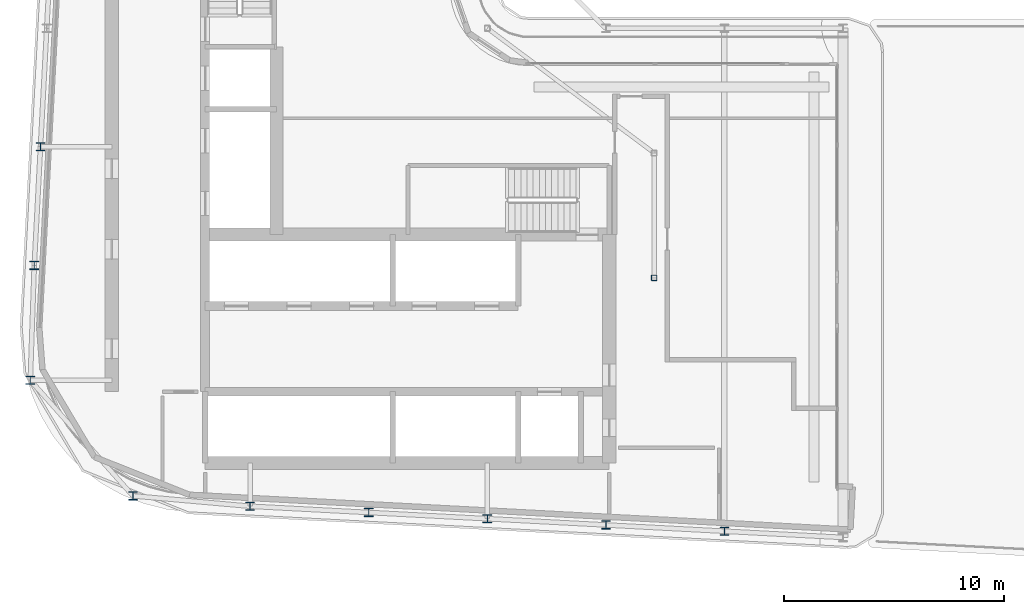
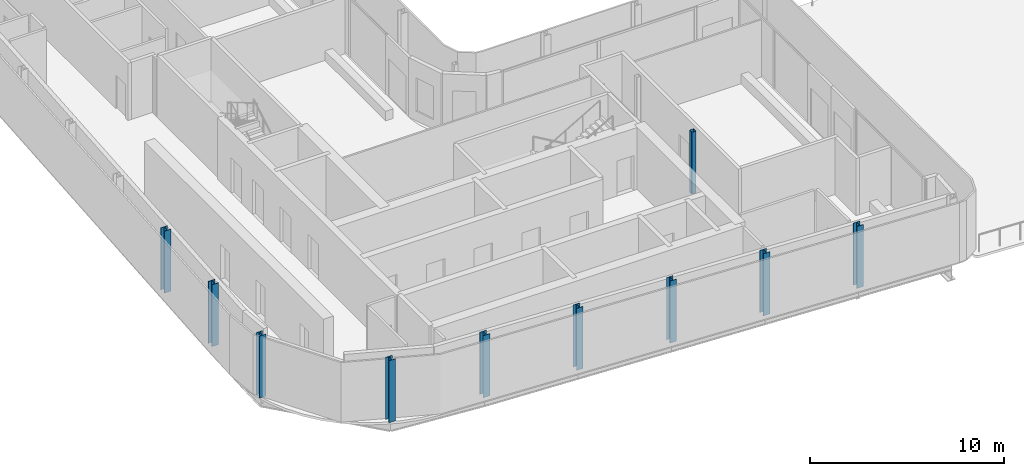
# One storey, part 1 of 22: 10 columns.
"""IFC4 building model written with IfcOpenShell, lengths in metres."""

from ifc_helpers import new_model, si_unit, direction, frame, origin, origin_2d, place, context, subcontext, project, spatial, hollow_rectangle, i_section, extrude, material, material_profile, profile_set, type_object, element, save


model = new_model("IFC4")

# Units and contexts
model_context = context("Model", 3, precision=1e-05, world=origin(), true_north=direction((0.0, 1.0)))
body_context = subcontext(model_context, "Body", "Model", "MODEL_VIEW")
ifc_project = project(units=[si_unit("LENGTHUNIT", "METRE"), si_unit("AREAUNIT", "SQUARE_METRE"), si_unit("VOLUMEUNIT", "CUBIC_METRE"), si_unit("PLANEANGLEUNIT", "RADIAN"), si_unit("MASSUNIT", "GRAM", prefix="KILO")], contexts=[model_context])

# Site, building, storey
site_placement = place(None, origin())
site = spatial("IfcSite", under=ifc_project, at=site_placement, CompositionType="ELEMENT")
building_placement = place(site_placement, origin())
building = spatial("IfcBuilding", under=site, at=building_placement, Name="Kheshtan School and Residences Tower", CompositionType="ELEMENT")
storey_placement = place(building_placement, frame((0.0, 0.0, 274.699951171875)))
storey = spatial("IfcBuildingStorey", under=building, at=storey_placement, Name="L64", CompositionType="ELEMENT", Elevation=274.699951171875)

# Columns
ifc_material_1 = material(Name="Steel ASTM A992 Grade 50", Category="steel")
ifc_material_profile_1 = material_profile(ifc_material_1, i_section(OverallWidth=0.39501953125, OverallDepth=0.3798828125, WebThickness=0.018798828125, FlangeThickness=0.0302734375, FilletRadius=0.011474609375, at=origin_2d()), Name="W360x237")
ifc_profile_set_1 = profile_set([ifc_material_profile_1], Name="Steel ASTM A992 Grade 50")
column_type_1 = type_object("IfcColumnType", Name="Column C5 W360x237 ASTM A992 Grade 50", PredefinedType="COLUMN", material=ifc_profile_set_1)
for number, where, z_axis, x_axis, name in (
    (1, (58.39990234375, 22.695068359375, 0.0), (0.0, 0.0, 1.0), (1.0, 0.0, 0.0), "Column C018"),
    (2, (53.0, 22.97998046875, 0.0), (0.0, 0.0, 1.0), (1.0, 0.0, 0.0), "Column C019"),
    (3, (47.60009765625, 23.263916015625, 0.0), (0.0, 0.0, 1.0), (1.0, 0.0, 0.0), "Column C020"),
    (4, (42.199951171875, 23.548095703125, 0.0), (0.0, 0.0, 1.0), (1.0, 0.0, 0.0), "Column C021"),
    (5, (36.800048828125, 23.83203125, 0.0), (0.0, 0.0, 1.0), (1.0, 0.0, 0.0), "Column C022"),
    (6, (31.465087890625, 24.304931640625, 0.0), (0.0, 0.0, 1.0), (1.0, 0.0, 0.0), "Column C122"),
    (7, (26.7880859375, 29.571044921875, 0.0), (0.0, 0.0, 1.0), (1.0, 0.0, 0.0), "Column C123"),
    (8, (26.968994140625, 34.800048828125, 0.0), (0.0, 0.0, 1.0), (1.0, 0.0, 0.0), "Column C052"),
    (9, (27.2529296875, 40.199951171875, 0.0), (0.0, 0.0, 1.0), (1.0, 0.0, 0.0), "Column C056"),
):
    element("IfcColumn", number, at=place(storey_placement, frame(where, z_axis=z_axis, x_axis=x_axis)), inside=storey, type_object=column_type_1, Name=name, PredefinedType="COLUMN", context=body_context, shape_type="SweptSolid", body=[
        extrude(i_section(OverallWidth=0.39501953125, OverallDepth=0.3798828125, WebThickness=0.018798828125, FlangeThickness=0.0302734375, FilletRadius=0.011474609375, at=origin_2d()), origin(), (0.0, 0.0, 1.0), 3.900146484375),
    ])
ifc_material_2 = material(Name="Steel ASTM A500 Grade C", Category="steel")
ifc_material_profile_2 = material_profile(ifc_material_2, hollow_rectangle(XDim=0.25390625, YDim=0.25390625, WallThickness=0.0126953125, InnerFilletRadius=0.0126953125, OuterFilletRadius=0.025390625, at=origin_2d()), Name="HSS 254x254x12.7")
ifc_profile_set_2 = profile_set([ifc_material_profile_2], Name="Steel ASTM A500 Grade C")
column_type_2 = type_object("IfcColumnType", Name="Column IC3 HSS 254x254x12.7 ASTM A500 Grade C", PredefinedType="COLUMN", material=ifc_profile_set_2)
column_placement = place(storey_placement, frame((55.199951171875, 34.23193359375, 0.0), z_axis=(0.0, 0.0, 1.0), x_axis=(1.0, 0.0, 0.0)))
element("IfcColumn", 10, at=column_placement, inside=storey, type_object=column_type_2, Name="Column C051", PredefinedType="COLUMN", context=body_context, shape_type="SweptSolid", body=[
    extrude(hollow_rectangle(XDim=0.25390625, YDim=0.25390625, WallThickness=0.0126953125, InnerFilletRadius=0.0126953125, OuterFilletRadius=0.025390625, at=origin_2d()), origin(), (0.0, 0.0, 1.0), 3.900146484375),
])

save(model, "model.ifc")
